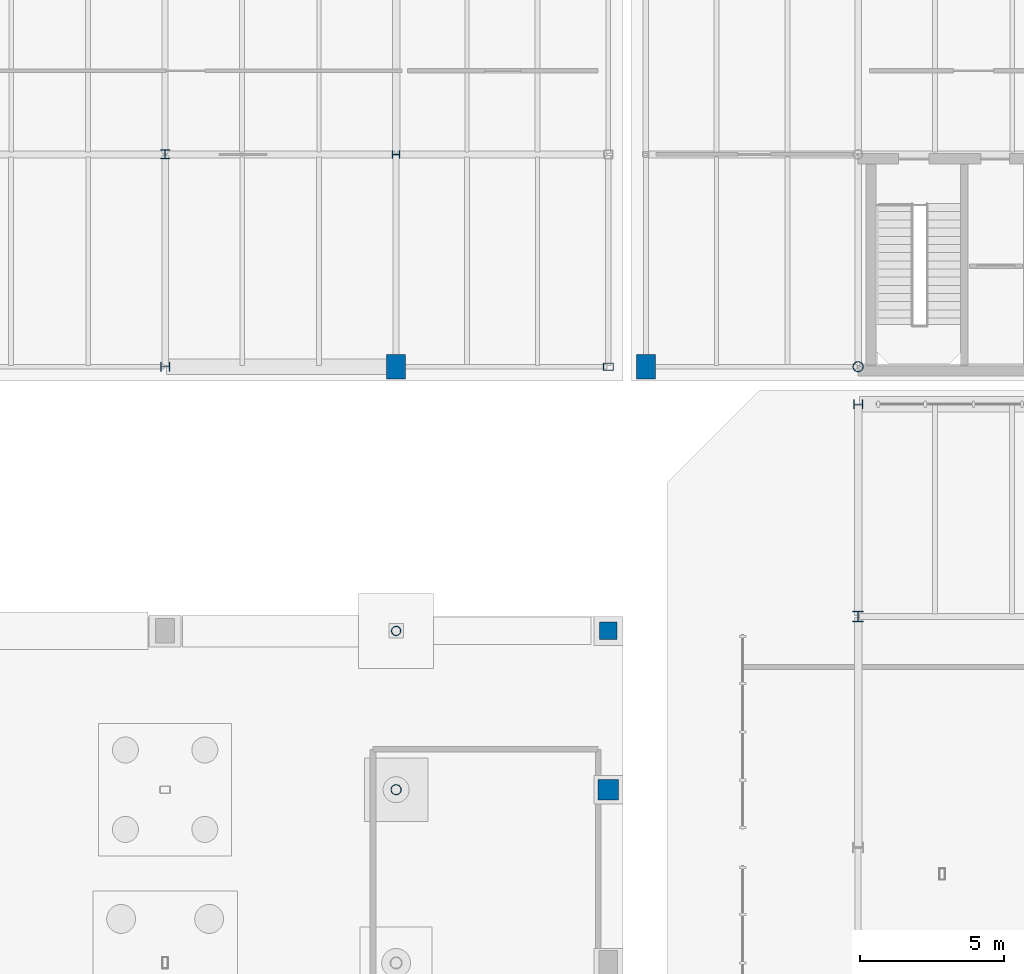
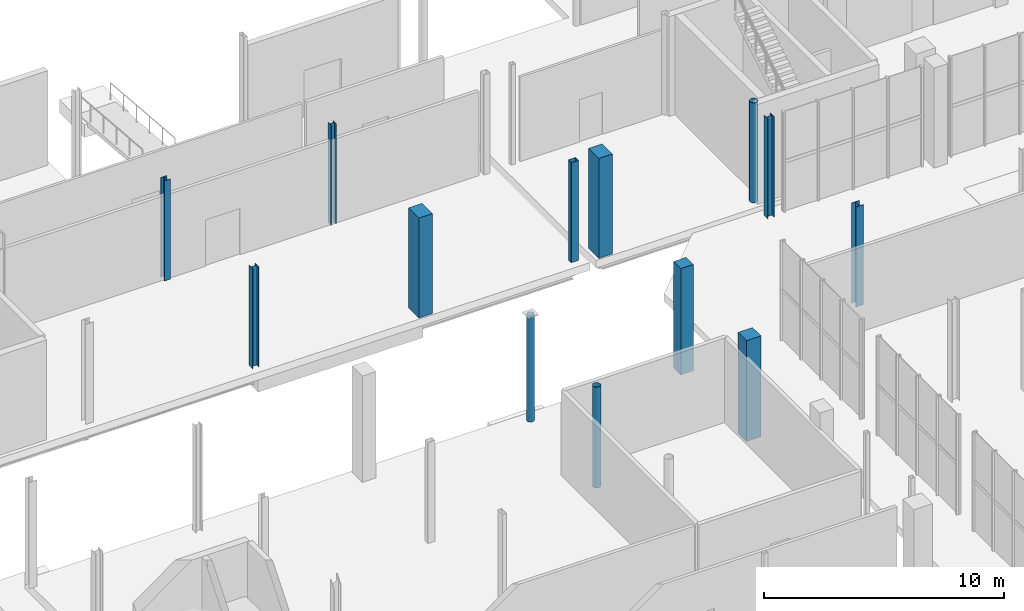
# One storey, part 20 of 87: 13 columns.
"""IFC4 building model written with IfcOpenShell, lengths in metres."""

from ifc_helpers import new_model, si_unit, direction, frame, origin, origin_2d, place, context, subcontext, project, spatial, rectangle, hollow_rectangle, hollow_circle, i_section, extrude, material, material_profile, profile_set, type_object, element, save


model = new_model("IFC4")

# Units and contexts
model_context = context("Model", 3, precision=1e-05, world=origin(), true_north=direction((0.0, 1.0)))
body_context = subcontext(model_context, "Body", "Model", "MODEL_VIEW")
ifc_project = project(units=[si_unit("LENGTHUNIT", "METRE"), si_unit("AREAUNIT", "SQUARE_METRE"), si_unit("VOLUMEUNIT", "CUBIC_METRE"), si_unit("PLANEANGLEUNIT", "RADIAN"), si_unit("MASSUNIT", "GRAM", prefix="KILO")], contexts=[model_context])

# Site, building, storey
site_placement = place(None, origin())
site = spatial("IfcSite", under=ifc_project, at=site_placement, CompositionType="ELEMENT")
building_placement = place(site_placement, origin())
building = spatial("IfcBuilding", under=site, at=building_placement, Name="Brisemont Oceanarium", CompositionType="ELEMENT")
storey_placement = place(building_placement, origin())
storey = spatial("IfcBuildingStorey", under=building, at=storey_placement, Name="L00", CompositionType="ELEMENT", Elevation=0.0)

# Columns
ifc_material_1 = material(Name="Structural Steel ASTM A500 Gr.C", Category="steel")
ifc_material_profile_1 = material_profile(ifc_material_1, hollow_circle(Radius=0.162109375, WallThickness=0.01171875, at=origin_2d()), Name="HSS12.750X0.500")
ifc_profile_set_1 = profile_set([ifc_material_profile_1], Name="Structural Steel ASTM A500 Gr.C")
column_type_1 = type_object("IfcColumnType", Name="COL-CHS12", PredefinedType="COLUMN", material=ifc_profile_set_1)
column_1_placement = place(storey_placement, frame((48.0, 71.5, 0.0), z_axis=(0.0, 0.0, 1.0), x_axis=(0.0, 1.0, 0.0)))
element("IfcColumn", 1, at=column_1_placement, inside=storey, type_object=column_type_1, Name="V5W L00 column (4,5)", PredefinedType="COLUMN", context=body_context, shape_type="SweptSolid", body=[
    extrude(hollow_circle(Radius=0.162109375, WallThickness=0.01171875, at=origin_2d()), origin(), (0.0, 0.0, 1.0), 5.39990234375),
])
ifc_material_2 = material(Name="Structural Steel ASTM A500 Gr.C", Category="steel")
ifc_material_profile_2 = material_profile(ifc_material_2, hollow_circle(Radius=0.177978515625, WallThickness=0.01171875, at=origin_2d()), Name="HSS14.000X0.500")
ifc_profile_set_2 = profile_set([ifc_material_profile_2], Name="Structural Steel ASTM A500 Gr.C")
column_type_2 = type_object("IfcColumnType", Name="COL-CHS14", PredefinedType="COLUMN", material=ifc_profile_set_2)
column_2_placement = place(storey_placement, frame((48.0, 66.0, 0.0), z_axis=(0.0, 0.0, 1.0), x_axis=(1.0, 0.0, 0.0)))
element("IfcColumn", 2, at=column_2_placement, inside=storey, type_object=column_type_2, Name="V5W L00 column (4,4)", PredefinedType="COLUMN", context=body_context, shape_type="SweptSolid", body=[
    extrude(hollow_circle(Radius=0.177978515625, WallThickness=0.01171875, at=origin_2d()), origin(), (0.0, 0.0, 1.0), 5.1201171875),
])
column_3_placement = place(storey_placement, frame((64.0, 80.64990234375, 0.0), z_axis=(0.0, 0.0, 1.0), x_axis=(0.0, 1.0, 0.0)))
element("IfcColumn", 3, at=column_3_placement, inside=storey, type_object=column_type_2, Name="V7E L00 column (1,0)", PredefinedType="COLUMN", context=body_context, shape_type="SweptSolid", body=[
    extrude(hollow_circle(Radius=0.177978515625, WallThickness=0.01171875, at=origin_2d()), origin(), (0.0, 0.0, 1.0), 5.080078125),
])
ifc_material_3 = material(Name="Structural Steel ASTM A500 Gr.C", Category="steel")
ifc_material_profile_3 = material_profile(ifc_material_3, hollow_rectangle(XDim=0.25390625, YDim=0.35595703125, WallThickness=0.01171875, InnerFilletRadius=0.01220703125, OuterFilletRadius=0.02392578125, at=origin_2d()), Name="HSS14X10X1/2")
ifc_profile_set_3 = profile_set([ifc_material_profile_3], Name="Structural Steel ASTM A500 Gr.C")
column_type_3 = type_object("IfcColumnType", Name="COL-HSS14X10", PredefinedType="COLUMN", material=ifc_profile_set_3)
column_4_placement = place(storey_placement, frame((55.35009765625, 80.64990234375, 0.0), z_axis=(0.0, 0.0, 1.0), x_axis=(0.0, 1.0, 0.0)))
element("IfcColumn", 4, at=column_4_placement, inside=storey, type_object=column_type_3, Name="V7W L00 column (5,0)", PredefinedType="COLUMN", context=body_context, shape_type="SweptSolid", body=[
    extrude(hollow_rectangle(XDim=0.25390625, YDim=0.35595703125, WallThickness=0.01171875, InnerFilletRadius=0.01220703125, OuterFilletRadius=0.02392578125, at=origin_2d()), origin(), (0.0, 0.0, 1.0), 5.080078125),
])
ifc_material_4 = material(Name="Concrete C35/45", Category="concrete")
ifc_material_profile_4 = material_profile(ifc_material_4, rectangle(XDim=0.60009765625, YDim=0.60009765625, at=origin_2d()), Name="RC-COL-600X600")
ifc_profile_set_4 = profile_set([ifc_material_profile_4], Name="Concrete C35/45")
column_type_4 = type_object("IfcColumnType", Name="COL-RC600", PredefinedType="COLUMN", material=ifc_profile_set_4)
column_5_placement = place(storey_placement, frame((55.35009765625, 71.5, 0.0), z_axis=(0.0, 0.0, 1.0), x_axis=(1.0, 0.0, 0.0)))
element("IfcColumn", 5, at=column_5_placement, inside=storey, type_object=column_type_4, Name="V5W L00 column (5,5)", PredefinedType="COLUMN", context=body_context, shape_type="SweptSolid", body=[
    extrude(rectangle(XDim=0.60009765625, YDim=0.60009765625, at=origin_2d()), origin(), (0.0, 0.0, 1.0), 5.39990234375),
])
ifc_material_5 = material(Name="Concrete C35/45", Category="concrete")
ifc_material_profile_5 = material_profile(ifc_material_5, rectangle(XDim=0.699951171875, YDim=0.699951171875, at=origin_2d()), Name="RC-COL-700X700")
ifc_profile_set_5 = profile_set([ifc_material_profile_5], Name="Concrete C35/45")
column_type_5 = type_object("IfcColumnType", Name="COL-RC700", PredefinedType="COLUMN", material=ifc_profile_set_5)
column_6_placement = place(storey_placement, frame((55.35009765625, 66.0, 0.0), z_axis=(0.0, 0.0, 1.0), x_axis=(0.0, 1.0, 0.0)))
element("IfcColumn", 6, at=column_6_placement, inside=storey, type_object=column_type_5, Name="V5W L00 column (5,4)", PredefinedType="COLUMN", context=body_context, shape_type="SweptSolid", body=[
    extrude(rectangle(XDim=0.699951171875, YDim=0.699951171875, at=origin_2d()), origin(), (0.0, 0.0, 1.0), 5.1201171875),
])
ifc_material_6 = material(Name="Structural Steel ASTM A992 Gr.50", Category="steel")
ifc_material_profile_6 = material_profile(ifc_material_6, i_section(OverallWidth=0.25390625, OverallDepth=0.25390625, WebThickness=0.008544921875, FlangeThickness=0.01416015625, FilletRadius=0.010986328125, at=origin_2d()), Name="W10X49")
ifc_profile_set_6 = profile_set([ifc_material_profile_6], Name="Structural Steel ASTM A992 Gr.50")
column_type_6 = type_object("IfcColumnType", Name="COL-W10X49", PredefinedType="COLUMN", material=ifc_profile_set_6)
column_7_placement = place(storey_placement, frame((48.0, 88.0, 0.0), z_axis=(0.0, 0.0, 1.0), x_axis=(0.0, 1.0, 0.0)))
element("IfcColumn", 7, at=column_7_placement, inside=storey, type_object=column_type_6, Name="V7W L00 column (4,1)", PredefinedType="COLUMN", context=body_context, shape_type="SweptSolid", body=[
    extrude(i_section(OverallWidth=0.25390625, OverallDepth=0.25390625, WebThickness=0.008544921875, FlangeThickness=0.01416015625, FilletRadius=0.010986328125, at=origin_2d()), origin(), (0.0, 0.0, 1.0), 5.080078125),
])
ifc_material_7 = material(Name="Structural Steel ASTM A992 Gr.50", Category="steel")
ifc_material_profile_7 = material_profile(ifc_material_7, i_section(OverallWidth=0.305908203125, OverallDepth=0.31103515625, WebThickness=0.010986328125, FlangeThickness=0.01708984375, FilletRadius=0.012939453125, at=origin_2d()), Name="W12X72")
ifc_profile_set_7 = profile_set([ifc_material_profile_7], Name="Structural Steel ASTM A992 Gr.50")
column_type_7 = type_object("IfcColumnType", Name="COL-W12X72", PredefinedType="COLUMN", material=ifc_profile_set_7)
column_8_placement = place(storey_placement, frame((40.0, 88.0, 0.0), z_axis=(0.0, 0.0, 1.0), x_axis=(1.0, 0.0, 0.0)))
element("IfcColumn", 8, at=column_8_placement, inside=storey, type_object=column_type_7, Name="V7W L00 column (3,1)", PredefinedType="COLUMN", context=body_context, shape_type="SweptSolid", body=[
    extrude(i_section(OverallWidth=0.305908203125, OverallDepth=0.31103515625, WebThickness=0.010986328125, FlangeThickness=0.01708984375, FilletRadius=0.012939453125, at=origin_2d()), origin(), (0.0, 0.0, 1.0), 5.080078125),
])
ifc_material_8 = material(Name="Structural Steel ASTM A992 Gr.50", Category="steel")
ifc_material_profile_8 = material_profile(ifc_material_8, i_section(OverallWidth=0.306884765625, OverallDepth=0.31494140625, WebThickness=0.011962890625, FlangeThickness=0.018798828125, FilletRadius=0.012939453125, at=origin_2d()), Name="W12X79")
ifc_profile_set_8 = profile_set([ifc_material_profile_8], Name="Structural Steel ASTM A992 Gr.50")
column_type_8 = type_object("IfcColumnType", Name="COL-W12X79", PredefinedType="COLUMN", material=ifc_profile_set_8)
column_9_placement = place(storey_placement, frame((40.0, 80.64990234375, 0.0), z_axis=(0.0, 0.0, 1.0), x_axis=(0.0, 1.0, 0.0)))
element("IfcColumn", 9, at=column_9_placement, inside=storey, type_object=column_type_8, Name="V7W L00 column (3,0)", PredefinedType="COLUMN", context=body_context, shape_type="SweptSolid", body=[
    extrude(i_section(OverallWidth=0.306884765625, OverallDepth=0.31494140625, WebThickness=0.011962890625, FlangeThickness=0.018798828125, FilletRadius=0.012939453125, at=origin_2d()), origin(), (0.0, 0.0, 1.0), 5.080078125),
])
ifc_material_9 = material(Name="Structural Steel ASTM A992 Gr.50", Category="steel")
ifc_material_profile_9 = material_profile(ifc_material_9, i_section(OverallWidth=0.30810546875, OverallDepth=0.318115234375, WebThickness=0.01318359375, FlangeThickness=0.0205078125, FilletRadius=0.012939453125, at=origin_2d()), Name="W12X87")
ifc_profile_set_9 = profile_set([ifc_material_profile_9], Name="Structural Steel ASTM A992 Gr.50")
column_type_9 = type_object("IfcColumnType", Name="COL-W12X87", PredefinedType="COLUMN", material=ifc_profile_set_9)
column_10_placement = place(storey_placement, frame((64.0, 79.35009765625, 0.0), z_axis=(0.0, 0.0, 1.0), x_axis=(0.0, 1.0, 0.0)))
element("IfcColumn", 10, at=column_10_placement, inside=storey, type_object=column_type_9, Name="V1 L00 column (1,6)", PredefinedType="COLUMN", context=body_context, shape_type="SweptSolid", body=[
    extrude(i_section(OverallWidth=0.30810546875, OverallDepth=0.318115234375, WebThickness=0.01318359375, FlangeThickness=0.0205078125, FilletRadius=0.012939453125, at=origin_2d()), origin(), (0.0, 0.0, 1.0), 5.080078125),
])
ifc_material_10 = material(Name="Structural Steel ASTM A992 Gr.50", Category="steel")
ifc_material_profile_10 = material_profile(ifc_material_10, i_section(OverallWidth=0.367919921875, OverallDepth=0.35595703125, WebThickness=0.01123046875, FlangeThickness=0.01806640625, FilletRadius=0.014892578125, at=origin_2d()), Name="W14X90")
ifc_profile_set_10 = profile_set([ifc_material_profile_10], Name="Structural Steel ASTM A992 Gr.50")
column_type_10 = type_object("IfcColumnType", Name="COL-W14X90", PredefinedType="COLUMN", material=ifc_profile_set_10)
column_11_placement = place(storey_placement, frame((64.0, 72.0, 0.0), z_axis=(0.0, 0.0, 1.0), x_axis=(1.0, 0.0, 0.0)))
element("IfcColumn", 11, at=column_11_placement, inside=storey, type_object=column_type_10, Name="V1 L00 column (1,5)", PredefinedType="COLUMN", context=body_context, shape_type="SweptSolid", body=[
    extrude(i_section(OverallWidth=0.367919921875, OverallDepth=0.35595703125, WebThickness=0.01123046875, FlangeThickness=0.01806640625, FilletRadius=0.014892578125, at=origin_2d()), origin(), (0.0, 0.0, 1.0), 5.080078125),
])
ifc_material_11 = material(Name="Precast Concrete C40/50", Category="concrete")
ifc_material_profile_11 = material_profile(ifc_material_11, rectangle(XDim=0.64990234375, YDim=0.85009765625, at=origin_2d()), Name="RC-PIL-650X850")
ifc_profile_set_11 = profile_set([ifc_material_profile_11], Name="Precast Concrete C40/50")
column_type_11 = type_object("IfcColumnType", Name="PIL-RC650X850", PredefinedType="PILASTER", material=ifc_profile_set_11)
for number, where, z_axis, x_axis, name in (
    (12, (48.0, 80.64990234375, 0.0), (0.0, 0.0, 1.0), (1.0, 0.0, 0.0), "V7W L00 column (4,0)"),
    (13, (56.64990234375, 80.64990234375, 0.0), (0.0, 0.0, 1.0), (1.0, 0.0, 0.0), "V7E L00 column (0,0)"),
):
    element("IfcColumn", number, at=place(storey_placement, frame(where, z_axis=z_axis, x_axis=x_axis)), inside=storey, type_object=column_type_11, Name=name, PredefinedType="PILASTER", context=body_context, shape_type="SweptSolid", body=[
        extrude(rectangle(XDim=0.64990234375, YDim=0.85009765625, at=origin_2d()), origin(), (0.0, 0.0, 1.0), 5.080078125),
    ])

save(model, "model.ifc")
